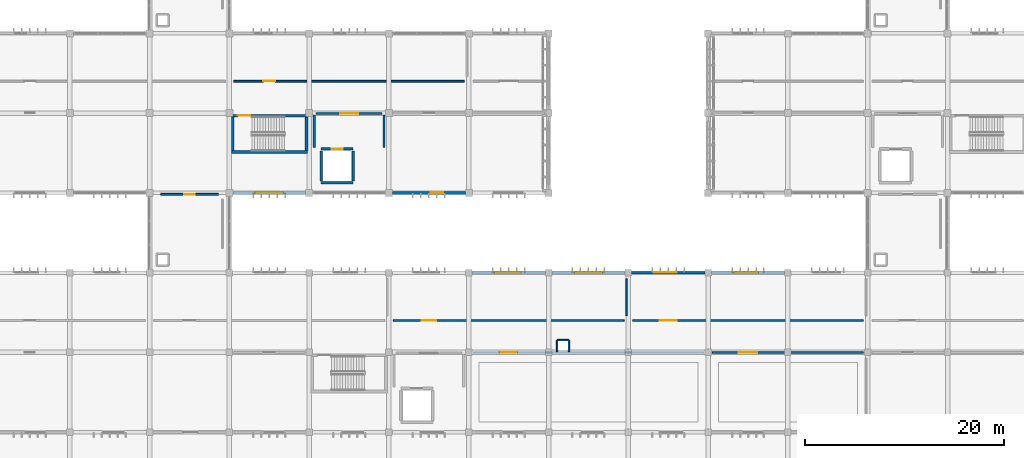
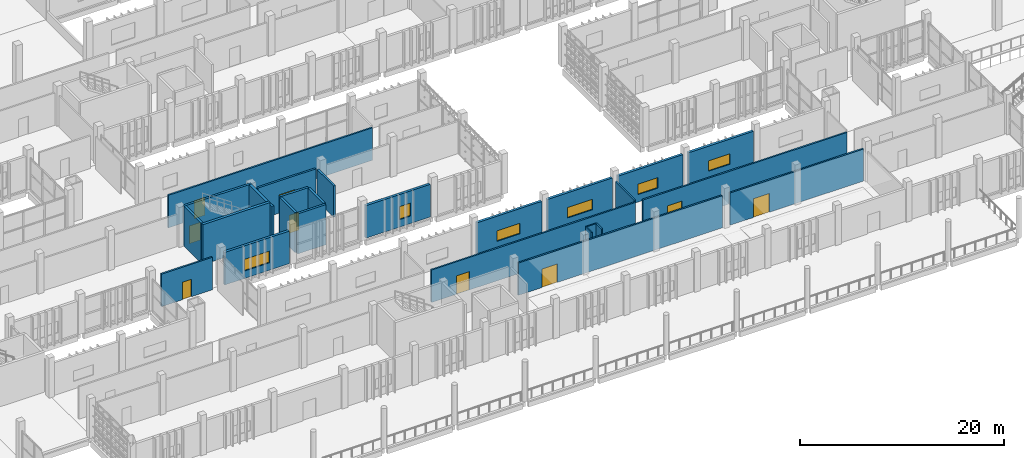
# One storey, part 81 of 106: 27 walls, 9 doors, 6 windows, 15 openings.
"""IFC4 building model written with IfcOpenShell, lengths in metres."""

from ifc_helpers import new_model, si_unit, direction, frame, frame_2d, origin, place, context, subcontext, project, spatial, rectangle, extrude, material, layer, layer_set, type_object, element, fill, save


model = new_model("IFC4")

# Units and contexts
model_context = context("Model", 3, precision=1e-05, world=origin(), true_north=direction((0.0, 1.0)))
body_context = subcontext(model_context, "Body", "Model", "MODEL_VIEW")
ifc_project = project(units=[si_unit("LENGTHUNIT", "METRE"), si_unit("AREAUNIT", "SQUARE_METRE"), si_unit("VOLUMEUNIT", "CUBIC_METRE"), si_unit("PLANEANGLEUNIT", "RADIAN"), si_unit("MASSUNIT", "GRAM", prefix="KILO")], contexts=[model_context])

# Site, building, storey
site_placement = place(None, origin())
site = spatial("IfcSite", under=ifc_project, at=site_placement, CompositionType="ELEMENT")
building_placement = place(site_placement, origin())
building = spatial("IfcBuilding", under=site, at=building_placement, Name="Jelvoka-Kovrelna Polytechnic", CompositionType="ELEMENT")
storey_placement = place(building_placement, frame((0.0, 0.0, 4.800048828125)))
storey = spatial("IfcBuildingStorey", under=building, at=storey_placement, Name="L02", CompositionType="ELEMENT", Elevation=4.800048828125)

# Wall, opening, door
ifc_material_1 = material(Name="Concrete C35/45", Category="concrete")
ifc_layer_1 = layer(ifc_material_1, 0.219970703125)
ifc_layer_set_1 = layer_set([ifc_layer_1], Name="Concrete C35/45")
wall_type_1 = type_object("IfcWallType", Name="Wall_Compartment_220", PredefinedType="PARTITIONING", material=ifc_layer_set_1)
wall_1_placement = place(storey_placement, frame((88.699951171875, 39.949951171875, 0.0), z_axis=(0.0, 0.0, 1.0), x_axis=(1.0, 0.0, 0.0)))
wall_1 = element("IfcWall", 1, at=wall_1_placement, inside=storey, type_object=wall_type_1, Name="L02 interior wall 0417", PredefinedType="PARTITIONING", context=body_context, shape_type="SweptSolid", body=[
    extrude(rectangle(XDim=6.60009765625, YDim=0.219970703125, at=frame_2d((3.300048828125, 0.0))), origin(), (0.0, 0.0, 1.0), 3.85986328125),
])
opening_1_placement = place(wall_1_placement, frame((2.39990234375, 0.0, 0.0)))
opening_1 = element("IfcOpeningElement", 2, at=opening_1_placement, cuts=wall_1, Name="Opening FD-L02-084", PredefinedType="OPENING", context=body_context, shape_type="SweptSolid", body=[
    extrude(rectangle(XDim=1.800048828125, YDim=2.199951171875, at=frame_2d((0.89990234375, 1.10009765625))), frame((0.0, 0.119873046875, 0.0), z_axis=(0.0, -1.0, 0.0), x_axis=(1.0, 0.0, 0.0)), (0.0, 0.0, 1.0), 0.239990234375),
])
ifc_material_2 = material(Name="Paired steel corridor fire door", Category="steel")
door_type_1 = type_object("IfcDoorType", Name="Door_Fire_FD03", OperationType="NOTDEFINED", PredefinedType="DOOR", material=ifc_material_2)
door_1_placement = place(opening_1_placement, origin())
door_1 = element("IfcDoor", 3, at=door_1_placement, inside=storey, type_object=door_type_1, Name="L02 interior door FD-L02-084", OperationType="DOUBLE_DOOR_SINGLE_SWING", OverallHeight=2.199951171875, OverallWidth=1.800048828125, PredefinedType="DOOR", context=body_context, shape_type="SweptSolid", body=[
    extrude(rectangle(XDim=1.800048828125, YDim=2.199951171875, at=frame_2d((0.89990234375, 1.10009765625))), frame((0.0, 0.02490234375, 0.0), z_axis=(0.0, -1.0, 0.0), x_axis=(1.0, 0.0, 0.0)), (0.0, 0.0, 1.0), 0.050048828125),
])
fill(opening_1, door_1)

# Walls
for number, where, z_axis, x_axis, name in (
    (4, (88.5, 36.550048828125, 0.0), (0.0, 0.0, 1.0), (0.0, 1.0, 0.0), "L02 interior wall 0418"),
    (5, (95.5, 36.550048828125, 0.0), (0.0, 0.0, 1.0), (0.0, 1.0, 0.0), "L02 interior wall 0419"),
):
    element("IfcWall", number, at=place(storey_placement, frame(where, z_axis=z_axis, x_axis=x_axis)), inside=storey, type_object=wall_type_1, Name=name, PredefinedType="PARTITIONING", context=body_context, shape_type="SweptSolid", body=[
        extrude(rectangle(XDim=3.25, YDim=0.219970703125, at=frame_2d((1.625, 0.0))), origin(), (0.0, 0.0, 1.0), 3.760009765625),
    ])

# Wall, opening, door
ifc_material_3 = material(Name="Concrete C40/50", Category="concrete")
ifc_layer_2 = layer(ifc_material_3, 0.25)
ifc_layer_set_2 = layer_set([ifc_layer_2], Name="Concrete C40/50")
wall_type_2 = type_object("IfcWallType", Name="Wall_Core_250", PredefinedType="SOLIDWALL", material=ifc_layer_set_2)
wall_2_placement = place(storey_placement, frame((80.199951171875, 39.739990234375, 0.0), z_axis=(0.0, 0.0, 1.0), x_axis=(1.0, 0.0, 0.0)))
wall_2 = element("IfcWall", 6, at=wall_2_placement, inside=storey, type_object=wall_type_2, Name="L02 interior wall 0095", PredefinedType="SOLIDWALL", context=body_context, shape_type="SweptSolid", body=[
    extrude(rectangle(XDim=7.650146484375, YDim=0.25, at=frame_2d((3.8251953125, 0.0))), origin(), (0.0, 0.0, 1.0), 4.800048828125),
])
opening_2_placement = place(wall_2_placement, frame((0.64990234375, 0.0, 0.0)))
opening_2 = element("IfcOpeningElement", 7, at=opening_2_placement, cuts=wall_2, Name="Opening SD-L02-024", PredefinedType="OPENING", context=body_context, shape_type="SweptSolid", body=[
    extrude(rectangle(XDim=1.25, YDim=2.14990234375, at=frame_2d((0.625, 1.074951171875))), frame((0.0, 0.135009765625, 0.0), z_axis=(0.0, -1.0, 0.0), x_axis=(1.0, 0.0, 0.0)), (0.0, 0.0, 1.0), 0.27001953125),
])
ifc_material_4 = material(Name="Powder-coated steel fire door", Category="steel")
door_type_2 = type_object("IfcDoorType", Name="Door_Fire_FD02", OperationType="NOTDEFINED", PredefinedType="DOOR", material=ifc_material_4)
door_2_placement = place(opening_2_placement, origin())
door_2 = element("IfcDoor", 8, at=door_2_placement, inside=storey, type_object=door_type_2, Name="L02 interior door SD-L02-024", OperationType="SINGLE_SWING_LEFT", OverallHeight=2.14990234375, OverallWidth=1.25, PredefinedType="DOOR", context=body_context, shape_type="SweptSolid", body=[
    extrude(rectangle(XDim=1.25, YDim=2.14990234375, at=frame_2d((0.625, 1.074951171875))), frame((0.0, 0.02490234375, 0.0), z_axis=(0.0, -1.0, 0.0), x_axis=(1.0, 0.0, 0.0)), (0.0, 0.0, 1.0), 0.050048828125),
])
fill(opening_2, door_2)

# Walls
wall_3_placement = place(storey_placement, frame((80.324951171875, 36.25, 0.0), z_axis=(0.0, 0.0, 1.0), x_axis=(0.0, 1.0, 0.0)))
element("IfcWall", 9, at=wall_3_placement, inside=storey, type_object=wall_type_2, Name="L02 interior wall 0096", PredefinedType="SOLIDWALL", context=body_context, shape_type="SweptSolid", body=[
    extrude(rectangle(XDim=3.360107421875, YDim=0.25, at=frame_2d((1.68017578125, 0.0))), origin(), (0.0, 0.0, 1.0), 4.800048828125),
])
wall_4_placement = place(storey_placement, frame((89.199951171875, 33.0, 0.0), z_axis=(0.0, 0.0, 1.0), x_axis=(1.0, 0.0, 0.0)))
element("IfcWall", 10, at=wall_4_placement, inside=storey, type_object=wall_type_2, Name="L02 interior wall 0413", PredefinedType="SOLIDWALL", context=body_context, shape_type="SweptSolid", body=[
    extrude(rectangle(XDim=3.199951171875, YDim=0.25, at=frame_2d((1.60009765625, 0.0))), origin(), (0.0, 0.0, 1.0), 4.800048828125),
])

# Wall, opening, door
wall_5_placement = place(storey_placement, frame((89.199951171875, 36.39990234375, 0.0), z_axis=(0.0, 0.0, 1.0), x_axis=(1.0, 0.0, 0.0)))
wall_5 = element("IfcWall", 11, at=wall_5_placement, inside=storey, type_object=wall_type_2, Name="L02 interior wall 0414", PredefinedType="SOLIDWALL", context=body_context, shape_type="SweptSolid", body=[
    extrude(rectangle(XDim=3.199951171875, YDim=0.25, at=frame_2d((1.60009765625, 0.0))), origin(), (0.0, 0.0, 1.0), 4.800048828125),
])
opening_3_placement = place(wall_5_placement, frame((1.050048828125, 0.0, 0.0)))
opening_3 = element("IfcOpeningElement", 12, at=opening_3_placement, cuts=wall_5, Name="Opening LD-L02-21", PredefinedType="OPENING", context=body_context, shape_type="SweptSolid", body=[
    extrude(rectangle(XDim=1.10009765625, YDim=2.14990234375, at=frame_2d((0.550048828125, 1.074951171875))), frame((0.0, 0.135009765625, 0.0), z_axis=(0.0, -1.0, 0.0), x_axis=(1.0, 0.0, 0.0)), (0.0, 0.0, 1.0), 0.27001953125),
])
ifc_material_5 = material(Name="Brushed stainless steel sliding landing door", Category="steel")
door_type_3 = type_object("IfcDoorType", Name="Door_Lift_LD01", OperationType="NOTDEFINED", PredefinedType="DOOR", material=ifc_material_5)
door_3_placement = place(opening_3_placement, origin())
door_3 = element("IfcDoor", 13, at=door_3_placement, inside=storey, type_object=door_type_3, Name="L02 lift landing sliding door LD-L02-21", OperationType="DOUBLE_DOOR_SLIDING", OverallHeight=2.14990234375, OverallWidth=1.10009765625, PredefinedType="DOOR", context=body_context, shape_type="SweptSolid", body=[
    extrude(rectangle(XDim=1.10009765625, YDim=2.14990234375, at=frame_2d((0.550048828125, 1.074951171875))), frame((0.0, 0.02490234375, 0.0), z_axis=(0.0, -1.0, 0.0), x_axis=(1.0, 0.0, 0.0)), (0.0, 0.0, 1.0), 0.050048828125),
])
fill(opening_3, door_3)

# Walls
for number, where, z_axis, x_axis, name in (
    (14, (89.199951171875, 33.199951171875, 0.0), (0.0, 0.0, 1.0), (0.0, 1.0, 0.0), "L02 interior wall 0415"),
    (15, (92.39990234375, 33.199951171875, 0.0), (0.0, 0.0, 1.0), (0.0, 1.0, 0.0), "L02 interior wall 0416"),
):
    element("IfcWall", number, at=place(storey_placement, frame(where, z_axis=z_axis, x_axis=x_axis)), inside=storey, type_object=wall_type_2, Name=name, PredefinedType="SOLIDWALL", context=body_context, shape_type="SweptSolid", body=[
        extrude(rectangle(XDim=3.0, YDim=0.25, at=frame_2d((1.5, 0.0))), origin(), (0.0, 0.0, 1.0), 4.800048828125),
    ])

# Wall, opening, door
ifc_material_6 = material(Name="Autoclaved aerated concrete blockwork", Category="masonry")
ifc_layer_3 = layer(ifc_material_6, 0.179931640625)
ifc_layer_set_3 = layer_set([ifc_layer_3], Name="Autoclaved aerated concrete blockwork")
wall_type_3 = type_object("IfcWallType", Name="Wall_Corridor_180", PredefinedType="PARTITIONING", material=ifc_layer_set_3)
wall_6_placement = place(storey_placement, frame((104.429931640625, 16.0, 0.0), z_axis=(0.0, 0.0, 1.0), x_axis=(1.0, 0.0, 0.0)))
wall_6 = element("IfcWall", 16, at=wall_6_placement, inside=storey, type_object=wall_type_3, Name="L02 interior wall 0948", PredefinedType="PARTITIONING", context=body_context, shape_type="SweptSolid", body=[
    extrude(rectangle(XDim=23.14013671875, YDim=0.179931640625, at=frame_2d((11.570068359375, 0.0))), origin(), (0.0, 0.0, 1.0), 3.85986328125),
])
opening_4_placement = place(wall_6_placement, frame((2.699951171875, 0.0, 0.0)))
opening_4 = element("IfcOpeningElement", 17, at=opening_4_placement, cuts=wall_6, Name="Opening D-L02-222", PredefinedType="OPENING", context=body_context, shape_type="SweptSolid", body=[
    extrude(rectangle(XDim=1.739990234375, YDim=2.219970703125, at=frame_2d((0.8701171875, 1.10986328125))), frame((0.0, 0.099853515625, 0.0), z_axis=(0.0, -1.0, 0.0), x_axis=(1.0, 0.0, 0.0)), (0.0, 0.0, 1.0), 0.199951171875),
])
ifc_material_7 = material(Name="Paired hardwood fire-resisting refectory door", Category="wood")
door_type_4 = type_object("IfcDoorType", Name="Door_Fire_FD30_09", OperationType="NOTDEFINED", PredefinedType="DOOR", material=ifc_material_7)
door_4_placement = place(opening_4_placement, origin())
door_4 = element("IfcDoor", 18, at=door_4_placement, inside=storey, type_object=door_type_4, Name="L02 interior door D-L02-222", OperationType="DOUBLE_DOOR_SINGLE_SWING", OverallHeight=2.219970703125, OverallWidth=1.739990234375, PredefinedType="DOOR", context=body_context, shape_type="SweptSolid", body=[
    extrude(rectangle(XDim=1.739990234375, YDim=2.219970703125, at=frame_2d((0.8701171875, 1.10986328125))), frame((0.0, 0.02490234375, 0.0), z_axis=(0.0, -1.0, 0.0), x_axis=(1.0, 0.0, 0.0)), (0.0, 0.0, 1.0), 0.050048828125),
])
fill(opening_4, door_4)

wall_7_placement = place(storey_placement, frame((128.429931640625, 16.0, 0.0), z_axis=(0.0, 0.0, 1.0), x_axis=(1.0, 0.0, 0.0)))
wall_7 = element("IfcWall", 19, at=wall_7_placement, inside=storey, type_object=wall_type_3, Name="L02 interior wall 0949", PredefinedType="PARTITIONING", context=body_context, shape_type="SweptSolid", body=[
    extrude(rectangle(XDim=15.14013671875, YDim=0.179931640625, at=frame_2d((7.570068359375, 0.0))), origin(), (0.0, 0.0, 1.0), 3.85986328125),
])
opening_5_placement = place(wall_7_placement, frame((2.659912109375, 0.0, 0.0)))
opening_5 = element("IfcOpeningElement", 20, at=opening_5_placement, cuts=wall_7, Name="Opening D-L02-223", PredefinedType="OPENING", context=body_context, shape_type="SweptSolid", body=[
    extrude(rectangle(XDim=1.820068359375, YDim=2.25, at=frame_2d((0.91015625, 1.125))), frame((0.0, 0.099853515625, 0.0), z_axis=(0.0, -1.0, 0.0), x_axis=(1.0, 0.0, 0.0)), (0.0, 0.0, 1.0), 0.199951171875),
])
ifc_material_8 = material(Name="Paired hardwood fire-resisting assembly door", Category="wood")
door_type_5 = type_object("IfcDoorType", Name="Door_Fire_FD30_10", OperationType="NOTDEFINED", PredefinedType="DOOR", material=ifc_material_8)
door_5_placement = place(opening_5_placement, origin())
door_5 = element("IfcDoor", 21, at=door_5_placement, inside=storey, type_object=door_type_5, Name="L02 interior door D-L02-223", OperationType="DOUBLE_DOOR_SINGLE_SWING", OverallHeight=2.25, OverallWidth=1.820068359375, PredefinedType="DOOR", context=body_context, shape_type="SweptSolid", body=[
    extrude(rectangle(XDim=1.820068359375, YDim=2.25, at=frame_2d((0.91015625, 1.125))), frame((0.0, 0.02490234375, 0.0), z_axis=(0.0, -1.0, 0.0), x_axis=(1.0, 0.0, 0.0)), (0.0, 0.0, 1.0), 0.050048828125),
])
fill(opening_5, door_5)

wall_8_placement = place(storey_placement, frame((96.429931640625, 19.199951171875, 0.0), z_axis=(0.0, 0.0, 1.0), x_axis=(1.0, 0.0, 0.0)))
wall_8 = element("IfcWall", 22, at=wall_8_placement, inside=storey, type_object=wall_type_3, Name="L02 interior wall 0955", PredefinedType="PARTITIONING", context=body_context, shape_type="SweptSolid", body=[
    extrude(rectangle(XDim=23.14013671875, YDim=0.179931640625, at=frame_2d((11.570068359375, 0.0))), origin(), (0.0, 0.0, 1.0), 3.89990234375),
])
opening_6_placement = place(wall_8_placement, frame((2.85009765625, 0.0, 0.0)))
opening_6 = element("IfcOpeningElement", 23, at=opening_6_placement, cuts=wall_8, Name="Opening D-L02-227", PredefinedType="OPENING", context=body_context, shape_type="SweptSolid", body=[
    extrude(rectangle(XDim=1.43994140625, YDim=2.199951171875, at=frame_2d((0.719970703125, 1.10009765625))), frame((0.0, 0.099853515625, 0.0), z_axis=(0.0, -1.0, 0.0), x_axis=(1.0, 0.0, 0.0)), (0.0, 0.0, 1.0), 0.199951171875),
])
ifc_material_9 = material(Name="Paired hardwood fire-resisting lab door", Category="wood")
door_type_6 = type_object("IfcDoorType", Name="Door_Fire_FD30_06", OperationType="NOTDEFINED", PredefinedType="DOOR", material=ifc_material_9)
door_6_placement = place(opening_6_placement, origin())
door_6 = element("IfcDoor", 24, at=door_6_placement, inside=storey, type_object=door_type_6, Name="L02 interior door D-L02-227", OperationType="DOUBLE_DOOR_SINGLE_SWING", OverallHeight=2.199951171875, OverallWidth=1.43994140625, PredefinedType="DOOR", context=body_context, shape_type="SweptSolid", body=[
    extrude(rectangle(XDim=1.43994140625, YDim=2.199951171875, at=frame_2d((0.719970703125, 1.10009765625))), frame((0.0, 0.02490234375, 0.0), z_axis=(0.0, -1.0, 0.0), x_axis=(1.0, 0.0, 0.0)), (0.0, 0.0, 1.0), 0.050048828125),
])
fill(opening_6, door_6)

wall_9_placement = place(storey_placement, frame((120.429931640625, 19.199951171875, 0.0), z_axis=(0.0, 0.0, 1.0), x_axis=(1.0, 0.0, 0.0)))
wall_9 = element("IfcWall", 25, at=wall_9_placement, inside=storey, type_object=wall_type_3, Name="L02 interior wall 0957", PredefinedType="PARTITIONING", context=body_context, shape_type="SweptSolid", body=[
    extrude(rectangle(XDim=23.14013671875, YDim=0.179931640625, at=frame_2d((11.570068359375, 0.0))), origin(), (0.0, 0.0, 1.0), 3.89990234375),
])
opening_7_placement = place(wall_9_placement, frame((2.739990234375, 0.0, 0.0)))
opening_7 = element("IfcOpeningElement", 26, at=opening_7_placement, cuts=wall_9, Name="Opening D-L02-228", PredefinedType="OPENING", context=body_context, shape_type="SweptSolid", body=[
    extrude(rectangle(XDim=1.659912109375, YDim=2.219970703125, at=frame_2d((0.830078125, 1.10986328125))), frame((0.0, 0.099853515625, 0.0), z_axis=(0.0, -1.0, 0.0), x_axis=(1.0, 0.0, 0.0)), (0.0, 0.0, 1.0), 0.199951171875),
])
ifc_material_10 = material(Name="Paired acoustic fire-resisting lecture door", Category="wood")
door_type_7 = type_object("IfcDoorType", Name="Door_Fire_FD30_08", OperationType="NOTDEFINED", PredefinedType="DOOR", material=ifc_material_10)
door_7_placement = place(opening_7_placement, origin())
door_7 = element("IfcDoor", 27, at=door_7_placement, inside=storey, type_object=door_type_7, Name="L02 interior door D-L02-228", OperationType="DOUBLE_DOOR_SINGLE_SWING", OverallHeight=2.219970703125, OverallWidth=1.659912109375, PredefinedType="DOOR", context=body_context, shape_type="SweptSolid", body=[
    extrude(rectangle(XDim=1.659912109375, YDim=2.219970703125, at=frame_2d((0.830078125, 1.10986328125))), frame((0.0, 0.02490234375, 0.0), z_axis=(0.0, -1.0, 0.0), x_axis=(1.0, 0.0, 0.0)), (0.0, 0.0, 1.0), 0.050048828125),
])
fill(opening_7, door_7)

wall_10_placement = place(storey_placement, frame((80.429931640625, 43.199951171875, 0.0), z_axis=(0.0, 0.0, 1.0), x_axis=(1.0, 0.0, 0.0)))
wall_10 = element("IfcWall", 28, at=wall_10_placement, inside=storey, type_object=wall_type_3, Name="L02 interior wall 0963", PredefinedType="PARTITIONING", context=body_context, shape_type="SweptSolid", body=[
    extrude(rectangle(XDim=23.14013671875, YDim=0.179931640625, at=frame_2d((11.570068359375, 0.0))), origin(), (0.0, 0.0, 1.0), 3.89990234375),
])
opening_8_placement = place(wall_10_placement, frame((2.9599609375, 0.0, 0.0)))
opening_8 = element("IfcOpeningElement", 29, at=opening_8_placement, cuts=wall_10, Name="Opening D-L02-233", PredefinedType="OPENING", context=body_context, shape_type="SweptSolid", body=[
    extrude(rectangle(XDim=1.219970703125, YDim=2.179931640625, at=frame_2d((0.60986328125, 1.08984375))), frame((0.0, 0.099853515625, 0.0), z_axis=(0.0, -1.0, 0.0), x_axis=(1.0, 0.0, 0.0)), (0.0, 0.0, 1.0), 0.199951171875),
])
ifc_material_11 = material(Name="Hardwood fire-resisting laboratory door", Category="wood")
door_type_8 = type_object("IfcDoorType", Name="Door_Fire_FD30_04", OperationType="NOTDEFINED", PredefinedType="DOOR", material=ifc_material_11)
door_8_placement = place(opening_8_placement, origin())
door_8 = element("IfcDoor", 30, at=door_8_placement, inside=storey, type_object=door_type_8, Name="L02 interior door D-L02-233", OperationType="SINGLE_SWING_LEFT", OverallHeight=2.179931640625, OverallWidth=1.219970703125, PredefinedType="DOOR", context=body_context, shape_type="SweptSolid", body=[
    extrude(rectangle(XDim=1.219970703125, YDim=2.179931640625, at=frame_2d((0.60986328125, 1.08984375))), frame((0.0, 0.02490234375, 0.0), z_axis=(0.0, -1.0, 0.0), x_axis=(1.0, 0.0, 0.0)), (0.0, 0.0, 1.0), 0.050048828125),
])
fill(opening_8, door_8)

wall_11_placement = place(storey_placement, frame((73.10009765625, 31.85009765625, 0.0), z_axis=(0.0, 0.0, 1.0), x_axis=(1.0, 0.0, 0.0)))
wall_11 = element("IfcWall", 31, at=wall_11_placement, inside=storey, type_object=wall_type_3, Name="L02 interior wall 0992", PredefinedType="PARTITIONING", context=body_context, shape_type="SweptSolid", body=[
    extrude(rectangle(XDim=5.7998046875, YDim=0.179931640625, at=frame_2d((2.89990234375, 0.0))), origin(), (0.0, 0.0, 1.0), 3.89990234375),
])
opening_9_placement = place(wall_11_placement, frame((2.389892578125, 0.0, 0.0)))
opening_9 = element("IfcOpeningElement", 32, at=opening_9_placement, cuts=wall_11, Name="Opening D-L02-254", PredefinedType="OPENING", context=body_context, shape_type="SweptSolid", body=[
    extrude(rectangle(XDim=1.02001953125, YDim=2.10009765625, at=frame_2d((0.510009765625, 1.050048828125))), frame((0.0, 0.099853515625, 0.0), z_axis=(0.0, -1.0, 0.0), x_axis=(1.0, 0.0, 0.0)), (0.0, 0.0, 1.0), 0.199951171875),
])
ifc_material_12 = material(Name="Hardwood solid-core door", Category="wood")
door_type_9 = type_object("IfcDoorType", Name="Door_Int_D04", OperationType="NOTDEFINED", PredefinedType="DOOR", material=ifc_material_12)
door_9_placement = place(opening_9_placement, origin())
door_9 = element("IfcDoor", 33, at=door_9_placement, inside=storey, type_object=door_type_9, Name="L02 interior door D-L02-254", OperationType="SINGLE_SWING_LEFT", OverallHeight=2.10009765625, OverallWidth=1.02001953125, PredefinedType="DOOR", context=body_context, shape_type="SweptSolid", body=[
    extrude(rectangle(XDim=1.02001953125, YDim=2.10009765625, at=frame_2d((0.510009765625, 1.050048828125))), frame((0.0, 0.02490234375, 0.0), z_axis=(0.0, -1.0, 0.0), x_axis=(1.0, 0.0, 0.0)), (0.0, 0.0, 1.0), 0.050048828125),
])
fill(opening_9, door_9)

# Wall, opening, window
ifc_material_13 = material(Name="Precast concrete C40/50", Category="concrete")
ifc_layer_4 = layer(ifc_material_13, 0.280029296875)
ifc_layer_set_4 = layer_set([ifc_layer_4], Name="Precast concrete C40/50")
wall_type_4 = type_object("IfcWallType", Name="Wall_Ext_White_280", PredefinedType="STANDARD", material=ifc_layer_set_4)
wall_12_placement = place(storey_placement, frame((104.322021484375, 24.0, 0.0), z_axis=(0.0, 0.0, 1.0), x_axis=(1.0, 0.0, 0.0)))
wall_12 = element("IfcWall", 34, at=wall_12_placement, inside=storey, type_object=wall_type_4, Name="L02 exterior wall 0268", PredefinedType="STANDARD", context=body_context, shape_type="SweptSolid", body=[
    extrude(rectangle(XDim=7.35595703125, YDim=0.280029296875, at=frame_2d((3.677978515625, 0.0))), origin(), (0.0, 0.0, 1.0), 3.909912109375),
])
opening_10_placement = place(wall_12_placement, frame((2.258056640625, 0.0, 0.89990234375)))
opening_10 = element("IfcOpeningElement", 35, at=opening_10_placement, cuts=wall_12, Name="Opening W-L02-033", PredefinedType="OPENING", context=body_context, shape_type="SweptSolid", body=[
    extrude(rectangle(XDim=2.64990234375, YDim=1.25, at=frame_2d((1.324951171875, 0.625))), frame((0.0, 0.150146484375, 0.0), z_axis=(0.0, -1.0, 0.0), x_axis=(1.0, 0.0, 0.0)), (0.0, 0.0, 1.0), 0.300048828125),
])
ifc_material_14 = material(Name="Thermally broken anodised aluminium and low-e glazing", Category="aluminium")
window_type_1 = type_object("IfcWindowType", Name="Win_Casement_W09", PartitioningType="DOUBLE_PANEL_VERTICAL", PredefinedType="WINDOW", material=ifc_material_14)
window_1_placement = place(opening_10_placement, origin())
window_1 = element("IfcWindow", 36, at=window_1_placement, inside=storey, type_object=window_type_1, Name="L02 aluminium casement window W-L02-033", OverallHeight=1.25, OverallWidth=2.64990234375, PartitioningType="DOUBLE_PANEL_VERTICAL", PredefinedType="WINDOW", context=body_context, shape_type="SweptSolid", body=[
    extrude(rectangle(XDim=2.64990234375, YDim=1.25, at=frame_2d((1.324951171875, 0.625))), frame((0.0, 0.030029296875, 0.0), z_axis=(0.0, -1.0, 0.0), x_axis=(1.0, 0.0, 0.0)), (0.0, 0.0, 1.0), 0.06005859375),
])
fill(opening_10, window_1)

wall_13_placement = place(storey_placement, frame((112.322021484375, 24.0, 0.0), z_axis=(0.0, 0.0, 1.0), x_axis=(1.0, 0.0, 0.0)))
wall_13 = element("IfcWall", 37, at=wall_13_placement, inside=storey, type_object=wall_type_4, Name="L02 exterior wall 0270", PredefinedType="STANDARD", context=body_context, shape_type="SweptSolid", body=[
    extrude(rectangle(XDim=7.35595703125, YDim=0.280029296875, at=frame_2d((3.677978515625, 0.0))), origin(), (0.0, 0.0, 1.0), 3.909912109375),
])
opening_11_placement = place(wall_13_placement, frame((2.258056640625, 0.0, 0.89990234375)))
opening_11 = element("IfcOpeningElement", 38, at=opening_11_placement, cuts=wall_13, Name="Opening W-L02-035", PredefinedType="OPENING", context=body_context, shape_type="SweptSolid", body=[
    extrude(rectangle(XDim=2.85009765625, YDim=1.25, at=frame_2d((1.425048828125, 0.625))), frame((0.0, 0.150146484375, 0.0), z_axis=(0.0, -1.0, 0.0), x_axis=(1.0, 0.0, 0.0)), (0.0, 0.0, 1.0), 0.300048828125),
])
ifc_material_15 = material(Name="Thermally broken anodised aluminium and low-e glazing", Category="aluminium")
window_type_2 = type_object("IfcWindowType", Name="Win_Casement_W10", PartitioningType="DOUBLE_PANEL_VERTICAL", PredefinedType="WINDOW", material=ifc_material_15)
window_2_placement = place(opening_11_placement, origin())
window_2 = element("IfcWindow", 39, at=window_2_placement, inside=storey, type_object=window_type_2, Name="L02 aluminium casement window W-L02-035", OverallHeight=1.25, OverallWidth=2.85009765625, PartitioningType="DOUBLE_PANEL_VERTICAL", PredefinedType="WINDOW", context=body_context, shape_type="SweptSolid", body=[
    extrude(rectangle(XDim=2.85009765625, YDim=1.25, at=frame_2d((1.425048828125, 0.625))), frame((0.0, 0.030029296875, 0.0), z_axis=(0.0, -1.0, 0.0), x_axis=(1.0, 0.0, 0.0)), (0.0, 0.0, 1.0), 0.06005859375),
])
fill(opening_11, window_2)

wall_14_placement = place(storey_placement, frame((120.322021484375, 24.0, 0.0), z_axis=(0.0, 0.0, 1.0), x_axis=(1.0, 0.0, 0.0)))
wall_14 = element("IfcWall", 40, at=wall_14_placement, inside=storey, type_object=wall_type_4, Name="L02 exterior wall 0272", PredefinedType="STANDARD", context=body_context, shape_type="SweptSolid", body=[
    extrude(rectangle(XDim=7.35595703125, YDim=0.280029296875, at=frame_2d((3.677978515625, 0.0))), origin(), (0.0, 0.0, 1.0), 3.909912109375),
])
opening_12_placement = place(wall_14_placement, frame((2.258056640625, 0.0, 0.89990234375)))
opening_12 = element("IfcOpeningElement", 41, at=opening_12_placement, cuts=wall_14, Name="Opening W-L02-037", PredefinedType="OPENING", context=body_context, shape_type="SweptSolid", body=[
    extrude(rectangle(XDim=2.25, YDim=1.25, at=frame_2d((1.125, 0.625))), frame((0.0, 0.150146484375, 0.0), z_axis=(0.0, -1.0, 0.0), x_axis=(1.0, 0.0, 0.0)), (0.0, 0.0, 1.0), 0.300048828125),
])
ifc_material_16 = material(Name="Thermally broken anodised aluminium and low-e glazing", Category="aluminium")
window_type_3 = type_object("IfcWindowType", Name="Win_Casement_W07", PartitioningType="DOUBLE_PANEL_VERTICAL", PredefinedType="WINDOW", material=ifc_material_16)
window_3_placement = place(opening_12_placement, origin())
window_3 = element("IfcWindow", 42, at=window_3_placement, inside=storey, type_object=window_type_3, Name="L02 aluminium casement window W-L02-037", OverallHeight=1.25, OverallWidth=2.25, PartitioningType="DOUBLE_PANEL_VERTICAL", PredefinedType="WINDOW", context=body_context, shape_type="SweptSolid", body=[
    extrude(rectangle(XDim=2.25, YDim=1.25, at=frame_2d((1.125, 0.625))), frame((0.0, 0.030029296875, 0.0), z_axis=(0.0, -1.0, 0.0), x_axis=(1.0, 0.0, 0.0)), (0.0, 0.0, 1.0), 0.06005859375),
])
fill(opening_12, window_3)

wall_15_placement = place(storey_placement, frame((128.322021484375, 24.0, 0.0), z_axis=(0.0, 0.0, 1.0), x_axis=(1.0, 0.0, 0.0)))
wall_15 = element("IfcWall", 43, at=wall_15_placement, inside=storey, type_object=wall_type_4, Name="L02 exterior wall 0274", PredefinedType="STANDARD", context=body_context, shape_type="SweptSolid", body=[
    extrude(rectangle(XDim=7.35595703125, YDim=0.280029296875, at=frame_2d((3.677978515625, 0.0))), origin(), (0.0, 0.0, 1.0), 3.909912109375),
])
opening_13_placement = place(wall_15_placement, frame((2.258056640625, 0.0, 0.89990234375)))
opening_13 = element("IfcOpeningElement", 44, at=opening_13_placement, cuts=wall_15, Name="Opening W-L02-039", PredefinedType="OPENING", context=body_context, shape_type="SweptSolid", body=[
    extrude(rectangle(XDim=2.449951171875, YDim=1.25, at=frame_2d((1.22509765625, 0.625))), frame((0.0, 0.150146484375, 0.0), z_axis=(0.0, -1.0, 0.0), x_axis=(1.0, 0.0, 0.0)), (0.0, 0.0, 1.0), 0.300048828125),
])
ifc_material_17 = material(Name="Thermally broken anodised aluminium and low-e glazing", Category="aluminium")
window_type_4 = type_object("IfcWindowType", Name="Win_Casement_W08", PartitioningType="DOUBLE_PANEL_VERTICAL", PredefinedType="WINDOW", material=ifc_material_17)
window_4_placement = place(opening_13_placement, origin())
window_4 = element("IfcWindow", 45, at=window_4_placement, inside=storey, type_object=window_type_4, Name="L02 aluminium casement window W-L02-039", OverallHeight=1.25, OverallWidth=2.449951171875, PartitioningType="DOUBLE_PANEL_VERTICAL", PredefinedType="WINDOW", context=body_context, shape_type="SweptSolid", body=[
    extrude(rectangle(XDim=2.449951171875, YDim=1.25, at=frame_2d((1.22509765625, 0.625))), frame((0.0, 0.030029296875, 0.0), z_axis=(0.0, -1.0, 0.0), x_axis=(1.0, 0.0, 0.0)), (0.0, 0.0, 1.0), 0.06005859375),
])
fill(opening_13, window_4)

wall_16_placement = place(storey_placement, frame((87.653076171875, 32.0, 0.0), z_axis=(0.0, 0.0, 1.0), x_axis=(-1.0, 0.0, 0.0)))
wall_16 = element("IfcWall", 46, at=wall_16_placement, inside=storey, type_object=wall_type_4, Name="L02 exterior wall 0378", PredefinedType="STANDARD", context=body_context, shape_type="SweptSolid", body=[
    extrude(rectangle(XDim=7.30615234375, YDim=0.280029296875, at=frame_2d((3.653076171875, 0.0))), origin(), (0.0, 0.0, 1.0), 3.909912109375),
])
opening_14_placement = place(wall_16_placement, frame((2.23291015625, 0.0, 0.89990234375)))
opening_14 = element("IfcOpeningElement", 47, at=opening_14_placement, cuts=wall_16, Name="Opening W-L02-123", PredefinedType="OPENING", context=body_context, shape_type="SweptSolid", body=[
    extrude(rectangle(XDim=2.85009765625, YDim=1.39990234375, at=frame_2d((1.425048828125, 0.699951171875))), frame((0.0, 0.150146484375, 0.0), z_axis=(0.0, -1.0, 0.0), x_axis=(1.0, 0.0, 0.0)), (0.0, 0.0, 1.0), 0.300048828125),
])
ifc_material_18 = material(Name="Thermally broken anodised aluminium and low-e glazing", Category="aluminium")
window_type_5 = type_object("IfcWindowType", Name="Win_Casement_W20", PartitioningType="DOUBLE_PANEL_VERTICAL", PredefinedType="WINDOW", material=ifc_material_18)
window_5_placement = place(opening_14_placement, origin())
window_5 = element("IfcWindow", 48, at=window_5_placement, inside=storey, type_object=window_type_5, Name="L02 aluminium casement window W-L02-123", OverallHeight=1.39990234375, OverallWidth=2.85009765625, PartitioningType="DOUBLE_PANEL_VERTICAL", PredefinedType="WINDOW", context=body_context, shape_type="SweptSolid", body=[
    extrude(rectangle(XDim=2.85009765625, YDim=1.39990234375, at=frame_2d((1.425048828125, 0.699951171875))), frame((0.0, 0.030029296875, 0.0), z_axis=(0.0, -1.0, 0.0), x_axis=(1.0, 0.0, 0.0)), (0.0, 0.0, 1.0), 0.06005859375),
])
fill(opening_14, window_5)

wall_17_placement = place(storey_placement, frame((103.653076171875, 32.0, 0.0), z_axis=(0.0, 0.0, 1.0), x_axis=(-1.0, 0.0, 0.0)))
wall_17 = element("IfcWall", 49, at=wall_17_placement, inside=storey, type_object=wall_type_4, Name="L02 exterior wall 0381", PredefinedType="STANDARD", context=body_context, shape_type="SweptSolid", body=[
    extrude(rectangle(XDim=7.30615234375, YDim=0.280029296875, at=frame_2d((3.653076171875, 0.0))), origin(), (0.0, 0.0, 1.0), 3.909912109375),
])
opening_15_placement = place(wall_17_placement, frame((2.23291015625, 0.0, 0.89990234375)))
opening_15 = element("IfcOpeningElement", 50, at=opening_15_placement, cuts=wall_17, Name="Opening W-L02-126", PredefinedType="OPENING", context=body_context, shape_type="SweptSolid", body=[
    extrude(rectangle(XDim=1.25, YDim=1.550048828125, at=frame_2d((0.625, 0.77490234375))), frame((0.0, 0.150146484375, 0.0), z_axis=(0.0, -1.0, 0.0), x_axis=(1.0, 0.0, 0.0)), (0.0, 0.0, 1.0), 0.300048828125),
])
ifc_material_19 = material(Name="Thermally broken anodised aluminium and low-e glazing", Category="aluminium")
window_type_6 = type_object("IfcWindowType", Name="Win_Casement_W22", PartitioningType="SINGLE_PANEL", PredefinedType="WINDOW", material=ifc_material_19)
window_6_placement = place(opening_15_placement, origin())
window_6 = element("IfcWindow", 51, at=window_6_placement, inside=storey, type_object=window_type_6, Name="L02 aluminium casement window W-L02-126", OverallHeight=1.550048828125, OverallWidth=1.25, PartitioningType="SINGLE_PANEL", PredefinedType="WINDOW", context=body_context, shape_type="SweptSolid", body=[
    extrude(rectangle(XDim=1.25, YDim=1.550048828125, at=frame_2d((0.625, 0.77490234375))), frame((0.0, 0.030029296875, 0.0), z_axis=(0.0, -1.0, 0.0), x_axis=(1.0, 0.0, 0.0)), (0.0, 0.0, 1.0), 0.06005859375),
])
fill(opening_15, window_6)

# Walls
ifc_material_20 = material(Name="Autoclaved aerated concrete blockwork", Category="masonry")
ifc_layer_5 = layer(ifc_material_20, 0.14990234375)
ifc_layer_set_5 = layer_set([ifc_layer_5], Name="Autoclaved aerated concrete blockwork")
wall_type_5 = type_object("IfcWallType", Name="Wall_Partition_150", PredefinedType="PARTITIONING", material=ifc_layer_set_5)
wall_18_placement = place(storey_placement, frame((114.030029296875, 16.090087890625, 0.0), z_axis=(0.0, 0.0, 1.0), x_axis=(0.0, 1.0, 0.0)))
element("IfcWall", 52, at=wall_18_placement, inside=storey, type_object=wall_type_5, Name="L02 interior wall 0695", PredefinedType="PARTITIONING", context=body_context, shape_type="SweptSolid", body=[
    extrude(rectangle(XDim=1.139892578125, YDim=0.14990234375, at=frame_2d((0.56982421875, 0.0))), origin(), (0.0, 0.0, 1.0), 4.5),
])
wall_19_placement = place(storey_placement, frame((114.030029296875, 17.22998046875, 0.0), z_axis=(0.0, 0.0, 1.0), x_axis=(-1.0, 0.0, 0.0)))
element("IfcWall", 53, at=wall_19_placement, inside=storey, type_object=wall_type_5, Name="L02 interior wall 0696", PredefinedType="PARTITIONING", context=body_context, shape_type="SweptSolid", body=[
    extrude(rectangle(XDim=1.159912109375, YDim=0.14990234375, at=frame_2d((0.580078125, 0.0))), origin(), (0.0, 0.0, 1.0), 4.5),
])
wall_20_placement = place(storey_placement, frame((112.8701171875, 17.22998046875, 0.0), z_axis=(0.0, 0.0, 1.0), x_axis=(0.0, -1.0, 0.0)))
element("IfcWall", 54, at=wall_20_placement, inside=storey, type_object=wall_type_5, Name="L02 interior wall 0697", PredefinedType="PARTITIONING", context=body_context, shape_type="SweptSolid", body=[
    extrude(rectangle(XDim=1.139892578125, YDim=0.14990234375, at=frame_2d((0.56982421875, 0.0))), origin(), (0.0, 0.0, 1.0), 4.5),
])
wall_21_placement = place(storey_placement, frame((119.820068359375, 19.669921875, 0.0), z_axis=(0.0, 0.0, 1.0), x_axis=(0.0, 1.0, 0.0)))
element("IfcWall", 55, at=wall_21_placement, inside=storey, type_object=wall_type_5, Name="L02 interior wall 0956", PredefinedType="PARTITIONING", context=body_context, shape_type="SweptSolid", body=[
    extrude(rectangle(XDim=3.7099609375, YDim=0.14990234375, at=frame_2d((1.85498046875, 0.0))), origin(), (0.0, 0.0, 1.0), 3.760009765625),
])
ifc_material_21 = material(Name="Concrete C40/50", Category="concrete")
ifc_layer_6 = layer(ifc_material_21, 0.300048828125)
ifc_layer_set_6 = layer_set([ifc_layer_6], Name="Concrete C40/50")
wall_type_6 = type_object("IfcWallType", Name="Wall_Shear_300", PredefinedType="SHEAR", material=ifc_layer_set_6)
wall_22_placement = place(storey_placement, frame((80.199951171875, 36.090087890625, 0.0), z_axis=(0.0, 0.0, 1.0), x_axis=(1.0, 0.0, 0.0)))
element("IfcWall", 56, at=wall_22_placement, inside=storey, type_object=wall_type_6, Name="L02 interior wall 0093", PredefinedType="SHEAR", context=body_context, shape_type="SweptSolid", body=[
    extrude(rectangle(XDim=7.650146484375, YDim=0.300048828125, at=frame_2d((3.8251953125, 0.0))), origin(), (0.0, 0.0, 1.0), 4.800048828125),
])
wall_23_placement = place(storey_placement, frame((87.7099609375, 36.25, 0.0), z_axis=(0.0, 0.0, 1.0), x_axis=(0.0, 1.0, 0.0)))
element("IfcWall", 57, at=wall_23_placement, inside=storey, type_object=wall_type_6, Name="L02 interior wall 0094", PredefinedType="SHEAR", context=body_context, shape_type="SweptSolid", body=[
    extrude(rectangle(XDim=3.360107421875, YDim=0.300048828125, at=frame_2d((1.68017578125, 0.0))), origin(), (0.0, 0.0, 1.0), 4.800048828125),
])

save(model, "model.ifc")
